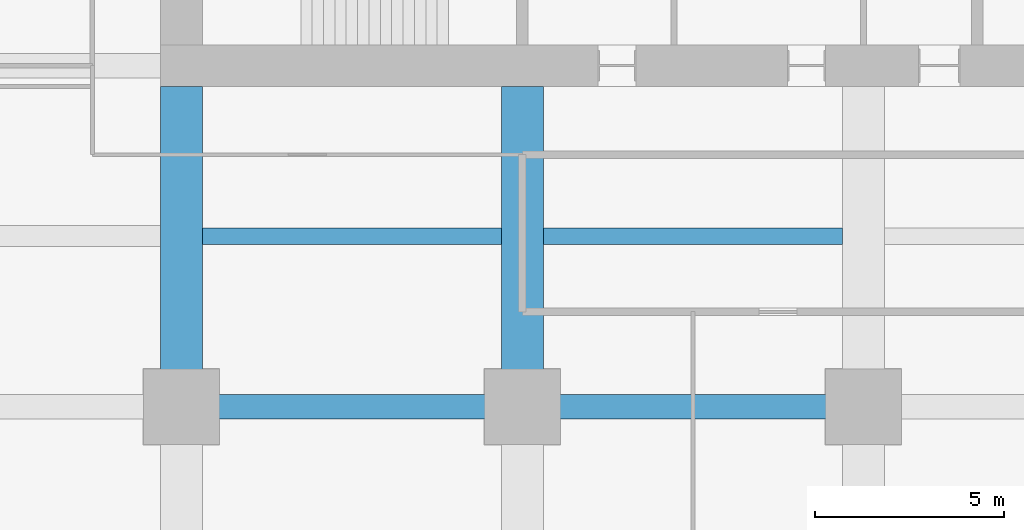
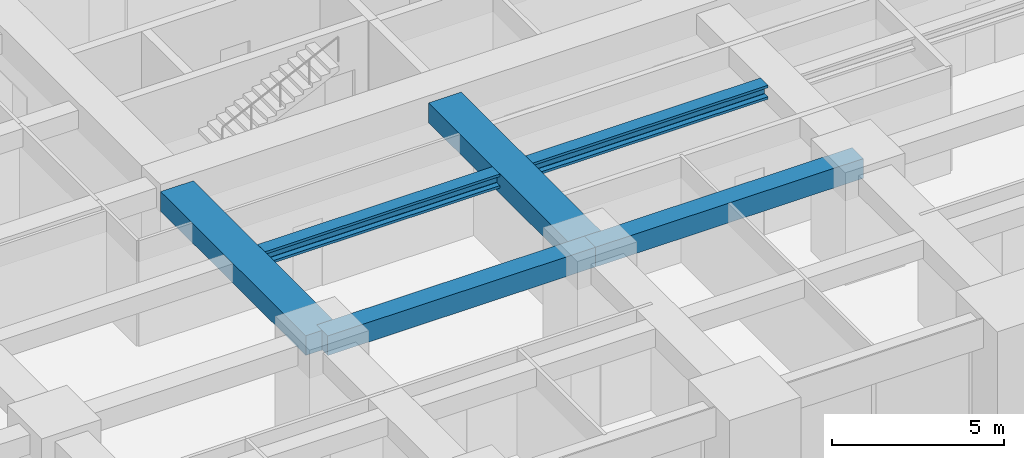
# One storey, part 8 of 41: 6 beams.
"""IFC4 building model written with IfcOpenShell, lengths in metres."""

from ifc_helpers import new_model, si_unit, direction, frame, origin, origin_2d, place, context, subcontext, project, spatial, rectangle, i_section, extrude, material, material_profile, profile_set, type_object, element, save


model = new_model("IFC4")

# Units and contexts
model_context = context("Model", 3, precision=1e-05, world=origin(), true_north=direction((0.0, 1.0)))
body_context = subcontext(model_context, "Body", "Model", "MODEL_VIEW")
ifc_project = project(units=[si_unit("LENGTHUNIT", "METRE"), si_unit("AREAUNIT", "SQUARE_METRE"), si_unit("VOLUMEUNIT", "CUBIC_METRE"), si_unit("PLANEANGLEUNIT", "RADIAN"), si_unit("MASSUNIT", "GRAM", prefix="KILO")], contexts=[model_context])

# Site, building, storey
site_placement = place(None, origin())
site = spatial("IfcSite", under=ifc_project, at=site_placement, CompositionType="ELEMENT")
building_placement = place(site_placement, origin())
building = spatial("IfcBuilding", under=site, at=building_placement, Name="Zorevar Civic Tower", CompositionType="ELEMENT")
storey_placement = place(building_placement, frame((0.0, 0.0, 97.0)))
storey = spatial("IfcBuildingStorey", under=building, at=storey_placement, Name="L23", CompositionType="ELEMENT", Elevation=97.0)

# Beams
ifc_material_1 = material(Name="Concrete C50/60", Category="concrete")
ifc_material_profile_1 = material_profile(ifc_material_1, rectangle(XDim=1.10009765625, YDim=0.699951171875, at=origin_2d()), Name="RC 1100x700")
ifc_profile_set_1 = profile_set([ifc_material_profile_1], Name="Concrete C50/60")
beam_type_1 = type_object("IfcBeamType", Name="Beam RC 1100x700", PredefinedType="BEAM", material=ifc_profile_set_1)
for number, where, z_axis, x_axis, name in (
    (1, (18.0, 9.0, 3.39990234375), (0.0, 1.0, 0.0), (-1.0, 0.0, 0.0), "Girder L24"),
    (2, (27.0, 9.0, 3.39990234375), (0.0, 1.0, 0.0), (-1.0, 0.0, 0.0), "Girder L24"),
):
    element("IfcBeam", number, at=place(storey_placement, frame(where, z_axis=z_axis, x_axis=x_axis)), inside=storey, type_object=beam_type_1, Name=name, PredefinedType="BEAM", context=body_context, shape_type="SweptSolid", body=[
        extrude(rectangle(XDim=1.10009765625, YDim=0.699951171875, at=origin_2d()), origin(), (0.0, 0.0, 1.0), 8.449951171875),
    ])
ifc_material_2 = material(Name="Concrete C50/60", Category="concrete")
ifc_material_profile_2 = material_profile(ifc_material_2, rectangle(XDim=0.64990234375, YDim=0.699951171875, at=origin_2d()), Name="RC 650x700")
ifc_profile_set_2 = profile_set([ifc_material_profile_2], Name="Concrete C50/60")
beam_type_2 = type_object("IfcBeamType", Name="Beam RC 650x700", PredefinedType="BEAM", material=ifc_profile_set_2)
for number, where, z_axis, x_axis, name in (
    (3, (18.0, 9.0, 3.39990234375), (1.0, 0.0, 0.0), (0.0, 1.0, 0.0), "Girder L24"),
    (4, (27.0, 9.0, 3.39990234375), (1.0, 0.0, 0.0), (0.0, 1.0, 0.0), "Girder L24"),
):
    element("IfcBeam", number, at=place(storey_placement, frame(where, z_axis=z_axis, x_axis=x_axis)), inside=storey, type_object=beam_type_2, Name=name, PredefinedType="BEAM", context=body_context, shape_type="SweptSolid", body=[
        extrude(rectangle(XDim=0.64990234375, YDim=0.699951171875, at=origin_2d()), origin(), (0.0, 0.0, 1.0), 9.0),
    ])
ifc_material_3 = material(Name="Steel S460M (HISTAR 460)", Category="steel")
ifc_material_profile_3 = material_profile(ifc_material_3, i_section(OverallWidth=0.431884765625, OverallDepth=0.498046875, WebThickness=0.0556640625, FlangeThickness=0.0888671875, FilletRadius=0.014892578125, at=origin_2d()), Name="HD 400x744")
ifc_profile_set_3 = profile_set([ifc_material_profile_3], Name="Steel S460M (HISTAR 460)")
beam_type_3 = type_object("IfcBeamType", Name="Core bay beam HD 400x744", PredefinedType="BEAM", material=ifc_profile_set_3)
for number, where, z_axis, x_axis, name in (
    (5, (18.550048828125, 13.5, 3.5009765625), (1.0, 0.0, 0.0), (0.0, 1.0, 0.0), "Secondary beam L24"),
    (6, (27.550048828125, 13.5, 3.5009765625), (1.0, 0.0, 0.0), (0.0, 1.0, 0.0), "Secondary beam L24"),
):
    element("IfcBeam", number, at=place(storey_placement, frame(where, z_axis=z_axis, x_axis=x_axis)), inside=storey, type_object=beam_type_3, Name=name, PredefinedType="BEAM", context=body_context, shape_type="SweptSolid", body=[
        extrude(i_section(OverallWidth=0.431884765625, OverallDepth=0.498046875, WebThickness=0.0556640625, FlangeThickness=0.0888671875, FilletRadius=0.014892578125, at=origin_2d()), origin(), (0.0, 0.0, 1.0), 7.89990234375),
    ])

save(model, "model.ifc")
